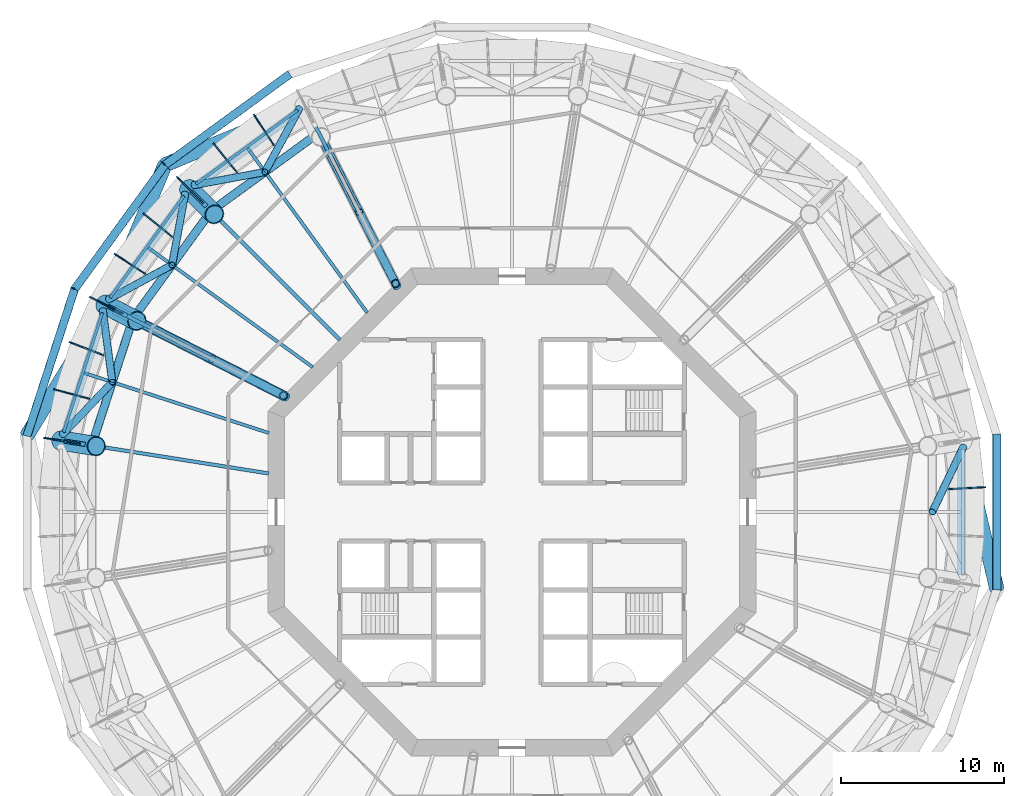
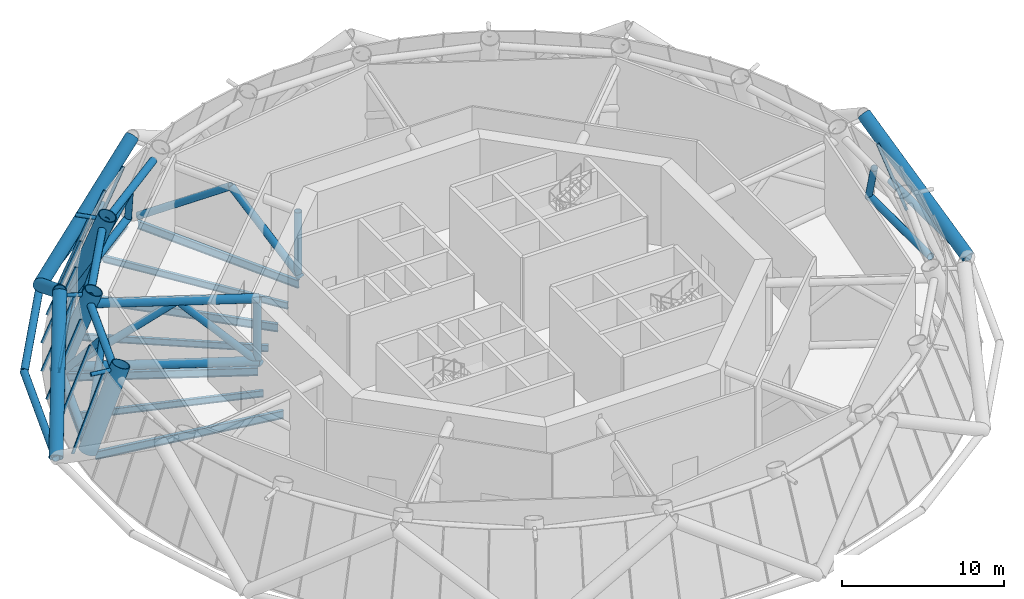
# One storey, part 4 of 15: 46 members, 10 beams, 5 elements without a shape of their own.
"""IFC4 building model written with IfcOpenShell, lengths in metres."""

from ifc_helpers import new_model, si_unit, direction, frame, origin, origin_2d, place, context, subcontext, project, spatial, rectangle, circle, hollow_circle, i_section, extrude, material, layer, layer_set, material_profile, profile_set, type_object, element, aggregate, save


model = new_model("IFC4")

# Units and contexts
model_context = context("Model", 3, precision=1e-05, world=origin(), true_north=direction((0.0, 1.0)))
body_context = subcontext(model_context, "Body", "Model", "MODEL_VIEW")
ifc_project = project(units=[si_unit("LENGTHUNIT", "METRE"), si_unit("AREAUNIT", "SQUARE_METRE"), si_unit("VOLUMEUNIT", "CUBIC_METRE"), si_unit("PLANEANGLEUNIT", "RADIAN"), si_unit("MASSUNIT", "GRAM", prefix="KILO")], contexts=[model_context])

# Site, building, storey
site_placement = place(None, origin())
site = spatial("IfcSite", under=ifc_project, at=site_placement, CompositionType="ELEMENT")
building_placement = place(site_placement, origin())
building = spatial("IfcBuilding", under=site, at=building_placement, Name="Entoto Ring Tower", CompositionType="ELEMENT")
storey_placement = place(building_placement, frame((0.0, 0.0, 200.0)))
storey = spatial("IfcBuildingStorey", under=building, at=storey_placement, Name="L46", CompositionType="ELEMENT", Elevation=200.0)

# Members
ifc_material_1 = material(Name="Steel S355", Category="steel")
ifc_material_profile_1 = material_profile(ifc_material_1, hollow_circle(Radius=0.449951171875, WallThickness=0.044921875, at=origin_2d()), Name="CHS 900 x 45")
ifc_material_2 = material(Name="Concrete C60/75", Category="concrete")
ifc_material_profile_2 = material_profile(ifc_material_2, circle(Radius=0.405029296875, at=origin_2d()), Name="Concrete C60/75 infill")
ifc_profile_set_1 = profile_set([ifc_material_profile_1, ifc_material_profile_2], Name="Steel S355")
member_type_1 = type_object("IfcMemberType", Name="Diagrid diagonal 900 x 45 concrete-filled tube", PredefinedType="BRACE", material=ifc_profile_set_1)
for number, where, z_axis, x_axis, name in (
    (1, (68.645263671875, 101.354736328125, 0.0), (0.777375260078, 0.323207345717, 0.539652403584), (-0.383907804078, 0.923371430123, 0.0), "DG2 module 14 07"),
    (2, (68.645263671875, 101.354736328125, 0.0), (-0.323207345717, -0.777375260078, 0.539652403584), (0.923371430123, -0.383907804078, 0.0), "DG2 module 14 08"),
):
    element("IfcMember", number, at=place(storey_placement, frame(where, z_axis=z_axis, x_axis=x_axis)), inside=storey, type_object=member_type_1, Name=name, PredefinedType="BRACE", context=body_context, shape_type="SweptSolid", body=[
        extrude(hollow_circle(Radius=0.449951171875, WallThickness=0.044921875, at=origin_2d()), origin(), (0.0, 0.0, 1.0), 11.1181640625),
    ])
member_1_placement = place(storey_placement, frame((60.171875, 84.724365234375, 0.0), z_axis=(0.438916670262, 0.718410935775, 0.539664603179), x_axis=(-0.853341145652, 0.521352941047, 0.0)))
element("IfcMember", 3, at=member_1_placement, inside=storey, type_object=member_type_1, Name="DG2 module 14 09", PredefinedType="BRACE", context=body_context, shape_type="SweptSolid", body=[
    extrude(hollow_circle(Radius=0.449951171875, WallThickness=0.044921875, at=origin_2d()), origin(), (0.0, 0.0, 1.0), 11.117919921875),
])
member_2_placement = place(storey_placement, frame((119.828125, 75.275634765625, 0.0), z_axis=(-0.195432990063, 0.818886187126, 0.539658557728), x_axis=(-0.972682939127, -0.232137674521, 0.0)))
element("IfcMember", 4, at=member_2_placement, inside=storey, type_object=member_type_1, Name="DG2 module 14 20", PredefinedType="BRACE", context=body_context, shape_type="SweptSolid", body=[
    extrude(hollow_circle(Radius=0.449951171875, WallThickness=0.044921875, at=origin_2d()), origin(), (0.0, 0.0, 1.0), 11.1181640625),
])
ifc_material_3 = material(Name="Steel S355", Category="steel")
ifc_material_profile_3 = material_profile(ifc_material_3, hollow_circle(Radius=0.136474609375, WallThickness=0.012451171875, at=origin_2d()), Name="CHS 273 x 12.5")
ifc_material_4 = material(Name="Concrete C60/75", Category="concrete")
ifc_material_profile_4 = material_profile(ifc_material_4, circle(Radius=0.1240234375, at=origin_2d()), Name="Concrete C60/75 infill")
ifc_profile_set_2 = profile_set([ifc_material_profile_3, ifc_material_profile_4], Name="Steel S355")
member_type_2 = type_object("IfcMemberType", Name="Diagrid node strut 273 x 12.5", PredefinedType="STRUT", material=ifc_profile_set_2)
member_3_placement = place(storey_placement, frame((71.201416015625, 98.798583984375, 5.71337890625), z_axis=(-0.707106781187, 0.707106781187, 0.0), x_axis=(-0.707106781187, -0.707106781187, 0.0)))
element("IfcMember", 5, at=member_3_placement, inside=storey, type_object=member_type_2, Name="DS2 strut ring 14 08", PredefinedType="STRUT", context=body_context, shape_type="SweptSolid", body=[
    extrude(hollow_circle(Radius=0.136474609375, WallThickness=0.012451171875, at=origin_2d()), origin(), (0.0, 0.0, 1.0), 1.314697265625),
])
member_4_placement = place(storey_placement, frame((66.3125, 92.0693359375, 5.71337890625), z_axis=(-0.891022493252, 0.453959157325, 0.0), x_axis=(-0.453959157325, -0.891022493252, 0.0)))
element("IfcMember", 6, at=member_4_placement, inside=storey, type_object=member_type_2, Name="DS2 strut ring 14 09", PredefinedType="STRUT", context=body_context, shape_type="SweptSolid", body=[
    extrude(hollow_circle(Radius=0.136474609375, WallThickness=0.012451171875, at=origin_2d()), origin(), (0.0, 0.0, 1.0), 1.31494140625),
])
member_5_placement = place(storey_placement, frame((63.7421875, 84.158935546875, 5.71337890625), z_axis=(-0.987701157576, 0.156353520338, 0.0), x_axis=(-0.156353520338, -0.987701157576, 0.0)))
element("IfcMember", 7, at=member_5_placement, inside=storey, type_object=member_type_2, Name="DS2 strut ring 14 10", PredefinedType="STRUT", context=body_context, shape_type="SweptSolid", body=[
    extrude(hollow_circle(Radius=0.136474609375, WallThickness=0.012451171875, at=origin_2d()), origin(), (0.0, 0.0, 1.0), 1.314697265625),
])
ifc_material_5 = material(Name="Steel S355", Category="steel")
ifc_material_profile_5 = material_profile(ifc_material_5, hollow_circle(Radius=0.25390625, WallThickness=0.030029296875, at=origin_2d()), Name="CHS 508 x 30")
ifc_material_6 = material(Name="Concrete C60/75", Category="concrete")
ifc_material_profile_6 = material_profile(ifc_material_6, circle(Radius=0.22412109375, at=origin_2d()), Name="Concrete C60/75 infill")
ifc_profile_set_3 = profile_set([ifc_material_profile_5, ifc_material_profile_6], Name="Steel S355")
member_type_3 = type_object("IfcMemberType", Name="Diagrid ring beam 508 x 30", PredefinedType="CHORD", material=ifc_profile_set_3)
for number, where, z_axis, x_axis, name in (
    (8, (76.338134765625, 106.94384765625, 0.0), (-0.809016230274, -0.587786303985, 0.0), (0.587786303985, -0.809016230274, 0.0), "DR2 ring 13 06"),
    (9, (68.6806640625, 101.4033203125, 0.0), (-0.587786303985, -0.809016230274, 0.0), (0.809016230274, -0.587786303985, 0.0), "DR2 ring 13 07"),
    (10, (63.110107421875, 93.767822265625, 0.0), (-0.308993189852, -0.951064250524, 0.0), (0.951064250524, -0.308993189852, 0.0), "DR2 ring 13 08"),
):
    element("IfcMember", number, at=place(storey_placement, frame(where, z_axis=z_axis, x_axis=x_axis)), inside=storey, type_object=member_type_3, Name=name, PredefinedType="CHORD", context=body_context, shape_type="SweptSolid", body=[
        extrude(hollow_circle(Radius=0.25390625, WallThickness=0.030029296875, at=origin_2d()), origin(), (0.0, 0.0, 1.0), 9.569091796875),
    ])
member_6_placement = place(storey_placement, frame((119.828125, 75.21533203125, 0.0), z_axis=(0.0, 1.0, 0.0), x_axis=(-1.0, 0.0, 0.0)))
element("IfcMember", 11, at=member_6_placement, inside=storey, type_object=member_type_3, Name="DR2 ring 13 19", PredefinedType="CHORD", context=body_context, shape_type="SweptSolid", body=[
    extrude(hollow_circle(Radius=0.25390625, WallThickness=0.030029296875, at=origin_2d()), origin(), (0.0, 0.0, 1.0), 9.5693359375),
])

# Beams
ifc_material_7 = material(Name="Steel S355", Category="steel")
ifc_material_profile_7 = material_profile(ifc_material_7, i_section(OverallWidth=0.169921875, OverallDepth=0.360107421875, WebThickness=0.008056640625, FlangeThickness=0.0126953125, FilletRadius=0.01806640625, at=origin_2d()), Name="IPE 360")
ifc_profile_set_4 = profile_set([ifc_material_profile_7], Name="Steel S355")
beam_type_1 = type_object("IfcBeamType", Name="Edge beam IPE 360", PredefinedType="SPANDREL", material=ifc_profile_set_4)
for number, where, z_axis, x_axis, name in (
    (12, (76.819580078125, 104.729736328125, -0.330078125), (-0.809012707043, -0.587791153253, 0.0), (0.587791153253, -0.809012707043, 0.0), "Edge beam L46 07"),
    (13, (69.82275390625, 99.4462890625, -0.330078125), (-0.587791153253, -0.809012707043, 0.0), (0.809012707043, -0.587791153253, 0.0), "Edge beam L46 08"),
    (14, (64.801025390625, 92.259521484375, -0.330078125), (-0.309012656105, -0.951057925874, 0.0), (0.951057925874, -0.309012656105, 0.0), "Edge beam L46 09"),
):
    element("IfcBeam", number, at=place(storey_placement, frame(where, z_axis=z_axis, x_axis=x_axis)), inside=storey, type_object=beam_type_1, Name=name, PredefinedType="SPANDREL", context=body_context, shape_type="SweptSolid", body=[
        extrude(i_section(OverallWidth=0.169921875, OverallDepth=0.360107421875, WebThickness=0.008056640625, FlangeThickness=0.0126953125, FilletRadius=0.01806640625, at=origin_2d()), origin(), (0.0, 0.0, 1.0), 7.7451171875),
    ])

# Curtain wall, members
ifc_material_8 = material(Name="Anodised aluminium", Category="aluminium")
ifc_layer = layer(ifc_material_8, 0.10009765625)
ifc_layer_set = layer_set([ifc_layer], Name="Anodised aluminium")
curtain_wall_type = type_object("IfcCurtainWallType", Name="Louvre curtain wall system CW7", PredefinedType="NOTDEFINED", material=ifc_layer_set)
curtain_wall_1_placement = place(storey_placement, origin())
curtain_wall_1 = element("IfcCurtainWall", 15, at=curtain_wall_1_placement, inside=storey, type_object=curtain_wall_type, Name="CW7 L46-07", PredefinedType="NOTDEFINED")
ifc_material_9 = material(Name="Anodised aluminium", Category="aluminium")
ifc_material_profile_8 = material_profile(ifc_material_9, rectangle(XDim=0.080078125, YDim=0.199951171875, at=origin_2d()), Name="Mullion 80 x 200 mm anodised aluminium")
ifc_profile_set_5 = profile_set([ifc_material_profile_8], Name="Anodised aluminium")
member_type_4 = type_object("IfcMemberType", Name="Mullion 80 x 200 mm anodised aluminium", PredefinedType="MULLION", material=ifc_profile_set_5)
member_7_placement = place(storey_placement, frame((74.154296875, 104.400146484375, 0.034423828125), z_axis=(0.187497389991, -0.288719812628, 0.938874644744), x_axis=(0.838669836379, 0.544640161527, 0.0)))
member_7 = element("IfcMember", 16, at=member_7_placement, type_object=member_type_4, Name="MULLION L46-19", PredefinedType="MULLION", context=body_context, shape_type="SweptSolid", body=[
    extrude(rectangle(XDim=0.080078125, YDim=0.199951171875, at=origin_2d()), origin(), (0.0, 0.0, 1.0), 6.15771484375),
])
member_8_placement = place(storey_placement, frame((71.690673828125, 102.610107421875, 0.034423828125), z_axis=(0.216641306561, -0.267510778801, 0.938884725361), x_axis=(0.777124153348, 0.629347320868, 0.0)))
member_8 = element("IfcMember", 17, at=member_8_placement, type_object=member_type_4, Name="MULLION L46-20", PredefinedType="MULLION", context=body_context, shape_type="SweptSolid", body=[
    extrude(rectangle(XDim=0.080078125, YDim=0.199951171875, at=origin_2d()), origin(), (0.0, 0.0, 1.0), 6.157470703125),
])
aggregate(curtain_wall_1, [member_7, member_8])

curtain_wall_2_placement = place(storey_placement, origin())
curtain_wall_2 = element("IfcCurtainWall", 18, at=curtain_wall_2_placement, inside=storey, type_object=curtain_wall_type, Name="CW7 L46-08", PredefinedType="NOTDEFINED")
member_9_placement = place(storey_placement, frame((69.427490234375, 100.572509765625, 0.034423828125), z_axis=(0.243439738428, -0.243439738428, 0.938868567749), x_axis=(0.707106781187, 0.707106781187, 0.0)))
member_9 = element("IfcMember", 19, at=member_9_placement, type_object=member_type_4, Name="MULLION L46-21", PredefinedType="MULLION", context=body_context, shape_type="SweptSolid", body=[
    extrude(rectangle(XDim=0.080078125, YDim=0.199951171875, at=origin_2d()), origin(), (0.0, 0.0, 1.0), 6.15771484375),
])
member_10_placement = place(storey_placement, frame((67.389892578125, 98.309326171875, 0.034423828125), z_axis=(0.267510778801, -0.216641306561, 0.938884725361), x_axis=(0.629347320868, 0.777124153348, 0.0)))
member_10 = element("IfcMember", 20, at=member_10_placement, type_object=member_type_4, Name="MULLION L46-22", PredefinedType="MULLION", context=body_context, shape_type="SweptSolid", body=[
    extrude(rectangle(XDim=0.080078125, YDim=0.199951171875, at=origin_2d()), origin(), (0.0, 0.0, 1.0), 6.157470703125),
])
member_11_placement = place(storey_placement, frame((65.599853515625, 95.845703125, 0.034423828125), z_axis=(0.288719812628, -0.187497389991, 0.938874644744), x_axis=(0.544640161527, 0.838669836379, 0.0)))
member_11 = element("IfcMember", 21, at=member_11_placement, type_object=member_type_4, Name="MULLION L46-23", PredefinedType="MULLION", context=body_context, shape_type="SweptSolid", body=[
    extrude(rectangle(XDim=0.080078125, YDim=0.199951171875, at=origin_2d()), origin(), (0.0, 0.0, 1.0), 6.15771484375),
])
aggregate(curtain_wall_2, [member_9, member_10, member_11])

curtain_wall_3_placement = place(storey_placement, origin())
curtain_wall_3 = element("IfcCurtainWall", 22, at=curtain_wall_3_placement, inside=storey, type_object=curtain_wall_type, Name="CW7 L46-09", PredefinedType="NOTDEFINED")
member_12_placement = place(storey_placement, frame((64.0771484375, 93.208251953125, 0.034423828125), z_axis=(0.30672352053, -0.156256126475, 0.938884819822), x_axis=(0.453927506851, 0.891038617863, 0.0)))
member_12 = element("IfcMember", 23, at=member_12_placement, type_object=member_type_4, Name="MULLION L46-24", PredefinedType="MULLION", context=body_context, shape_type="SweptSolid", body=[
    extrude(rectangle(XDim=0.080078125, YDim=0.199951171875, at=origin_2d()), origin(), (0.0, 0.0, 1.0), 6.157470703125),
])
member_13_placement = place(storey_placement, frame((62.838623046875, 90.42626953125, 0.034423828125), z_axis=(0.321355925032, -0.123348338405, 0.938890598983), x_axis=(0.358346063241, 0.933588827568, 0.0)))
member_13 = element("IfcMember", 24, at=member_13_placement, type_object=member_type_4, Name="MULLION L46-25", PredefinedType="MULLION", context=body_context, shape_type="SweptSolid", body=[
    extrude(rectangle(XDim=0.080078125, YDim=0.199951171875, at=origin_2d()), origin(), (0.0, 0.0, 1.0), 6.157470703125),
])
member_14_placement = place(storey_placement, frame((61.8974609375, 87.530029296875, 0.034423828125), z_axis=(0.332531368364, -0.089090018447, 0.938874782741), x_axis=(0.258787896113, 0.965934172097, 0.0)))
member_14 = element("IfcMember", 25, at=member_14_placement, type_object=member_type_4, Name="MULLION L46-26", PredefinedType="MULLION", context=body_context, shape_type="SweptSolid", body=[
    extrude(rectangle(XDim=0.080078125, YDim=0.199951171875, at=origin_2d()), origin(), (0.0, 0.0, 1.0), 6.15771484375),
])
aggregate(curtain_wall_3, [member_12, member_13, member_14])

# Curtain wall, member
curtain_wall_4_placement = place(storey_placement, origin())
curtain_wall_4 = element("IfcCurtainWall", 26, at=curtain_wall_4_placement, inside=storey, type_object=curtain_wall_type, Name="CW7 L46-10", PredefinedType="NOTDEFINED")
member_15_placement = place(storey_placement, frame((61.264404296875, 84.55126953125, 0.034423828125), z_axis=(0.339989545679, -0.053843242336, 0.938886582119), x_axis=(0.156417995192, 0.987690949022, 0.0)))
member_15 = element("IfcMember", 27, at=member_15_placement, type_object=member_type_4, Name="MULLION L46-27", PredefinedType="MULLION", context=body_context, shape_type="SweptSolid", body=[
    extrude(rectangle(XDim=0.080078125, YDim=0.199951171875, at=origin_2d()), origin(), (0.0, 0.0, 1.0), 6.157470703125),
])
aggregate(curtain_wall_4, [member_15])

curtain_wall_5_placement = place(storey_placement, origin())
curtain_wall_5 = element("IfcCurtainWall", 28, at=curtain_wall_5_placement, inside=storey, type_object=curtain_wall_type, Name="CW7 L46-20", PredefinedType="NOTDEFINED")
member_16_placement = place(storey_placement, frame((119.053955078125, 81.522705078125, 0.034423828125), z_axis=(-0.343755886761, -0.018040245499, 0.938885743773), x_axis=(0.052407696247, -0.998625772436, 0.0)))
member_16 = element("IfcMember", 29, at=member_16_placement, type_object=member_type_4, Name="MULLION L46-59", PredefinedType="MULLION", context=body_context, shape_type="SweptSolid", body=[
    extrude(rectangle(XDim=0.080078125, YDim=0.199951171875, at=origin_2d()), origin(), (0.0, 0.0, 1.0), 6.157470703125),
])
aggregate(curtain_wall_5, [member_16])

# Members
ifc_material_10 = material(Name="Steel S355", Category="steel")
ifc_material_profile_9 = material_profile(ifc_material_10, hollow_circle(Radius=0.304931640625, WallThickness=0.030029296875, at=origin_2d()), Name="CHS 610 x 30")
ifc_material_11 = material(Name="Concrete C60/75", Category="concrete")
ifc_material_profile_10 = material_profile(ifc_material_11, circle(Radius=0.27490234375, at=origin_2d()), Name="Concrete C60/75 infill")
ifc_profile_set_6 = profile_set([ifc_material_profile_9, ifc_material_profile_10], Name="Steel S355")
member_type_5 = type_object("IfcMemberType", Name="Outrigger chord 610 x 30", PredefinedType="CHORD", material=ifc_profile_set_6)
member_17_placement = place(storey_placement, frame((76.05322265625, 87.106201171875, 0.304931640625), z_axis=(-0.891005561634, 0.453992388854, 0.0), x_axis=(-0.453992388854, -0.891005561634, 0.0)))
element("IfcMember", 30, at=member_17_placement, inside=storey, type_object=member_type_5, Name="OR1B L46 bottom 05", PredefinedType="CHORD", context=body_context, shape_type="SweptSolid", body=[
    extrude(hollow_circle(Radius=0.304931640625, WallThickness=0.030029296875, at=origin_2d()), origin(), (0.0, 0.0, 1.0), 11.804931640625),
])
member_18_placement = place(storey_placement, frame((76.05322265625, 87.106201171875, 5.044921875), z_axis=(-0.891006180979, 0.453991173324, 0.0), x_axis=(-0.453991173324, -0.891006180979, 0.0)))
element("IfcMember", 31, at=member_18_placement, inside=storey, type_object=member_type_5, Name="OR1B L46 top 05", PredefinedType="CHORD", context=body_context, shape_type="SweptSolid", body=[
    extrude(hollow_circle(Radius=0.304931640625, WallThickness=0.030029296875, at=origin_2d()), origin(), (0.0, 0.0, 1.0), 10.06689453125),
])
ifc_material_12 = material(Name="Steel S355", Category="steel")
ifc_material_profile_11 = material_profile(ifc_material_12, hollow_circle(Radius=0.25390625, WallThickness=0.030029296875, at=origin_2d()), Name="CHS 508 x 30")
ifc_material_13 = material(Name="Concrete C60/75", Category="concrete")
ifc_material_profile_12 = material_profile(ifc_material_13, circle(Radius=0.22412109375, at=origin_2d()), Name="Concrete C60/75 infill")
ifc_profile_set_7 = profile_set([ifc_material_profile_11, ifc_material_profile_12], Name="Steel S355")
member_type_6 = type_object("IfcMemberType", Name="Outrigger diagonal 508 x 30", PredefinedType="BRACE", material=ifc_profile_set_7)
member_19_placement = place(storey_placement, frame((82.93408203125, 93.86767578125, 0.10546875), z_axis=(-0.327555738645, 0.642859366285, 0.692415390687), x_axis=(-0.891005105135, -0.453993284777, 0.0)))
element("IfcMember", 32, at=member_19_placement, inside=storey, type_object=member_type_6, Name="OR2B L46 04 1", PredefinedType="BRACE", context=body_context, shape_type="SweptSolid", body=[
    extrude(hollow_circle(Radius=0.25390625, WallThickness=0.030029296875, at=origin_2d()), origin(), (0.0, 0.0, 1.0), 7.133544921875),
])
member_20_placement = place(storey_placement, frame((80.597412109375, 98.45361328125, 5.044921875), z_axis=(-0.370211902678, 0.726549640122, -0.57885124821), x_axis=(-0.890998403094, -0.454006437932, 0.0)))
element("IfcMember", 33, at=member_20_placement, inside=storey, type_object=member_type_6, Name="OR2B L46 04 2", PredefinedType="BRACE", context=body_context, shape_type="SweptSolid", body=[
    extrude(hollow_circle(Radius=0.25390625, WallThickness=0.030029296875, at=origin_2d()), origin(), (0.0, 0.0, 1.0), 8.3408203125),
])
member_21_placement = place(storey_placement, frame((76.13232421875, 87.06591796875, 0.10546875), z_axis=(-0.642859366285, 0.327555738645, 0.692415390687), x_axis=(-0.453993284777, -0.891005105135, 0.0)))
element("IfcMember", 34, at=member_21_placement, inside=storey, type_object=member_type_6, Name="OR2B L46 05 1", PredefinedType="BRACE", context=body_context, shape_type="SweptSolid", body=[
    extrude(hollow_circle(Radius=0.25390625, WallThickness=0.030029296875, at=origin_2d()), origin(), (0.0, 0.0, 1.0), 7.133544921875),
])
member_22_placement = place(storey_placement, frame((71.54638671875, 89.402587890625, 5.044921875), z_axis=(-0.726549640122, 0.370211902678, -0.57885124821), x_axis=(-0.454006437932, -0.890998403094, 0.0)))
element("IfcMember", 35, at=member_22_placement, inside=storey, type_object=member_type_6, Name="OR2B L46 05 2", PredefinedType="BRACE", context=body_context, shape_type="SweptSolid", body=[
    extrude(hollow_circle(Radius=0.25390625, WallThickness=0.030029296875, at=origin_2d()), origin(), (0.0, 0.0, 1.0), 8.3408203125),
])
ifc_material_14 = material(Name="Steel S355", Category="steel")
ifc_material_profile_13 = material_profile(ifc_material_14, hollow_circle(Radius=0.25390625, WallThickness=0.030029296875, at=origin_2d()), Name="CHS 508 x 30")
ifc_material_15 = material(Name="Concrete C60/75", Category="concrete")
ifc_material_profile_14 = material_profile(ifc_material_15, circle(Radius=0.22412109375, at=origin_2d()), Name="Concrete C60/75 infill")
ifc_profile_set_8 = profile_set([ifc_material_profile_13, ifc_material_profile_14], Name="Steel S355")
member_type_7 = type_object("IfcMemberType", Name="Outrigger post 508 x 30", PredefinedType="POST", material=ifc_profile_set_8)
for number, where, z_axis, x_axis, name in (
    (36, (82.839599609375, 94.052978515625, 0.304931640625), (0.0, 0.0, 1.0), (1.0, 0.0, 0.0), "OR3 L46 04"),
    (37, (75.947021484375, 87.160400390625, 0.304931640625), (0.0, 0.0, 1.0), (1.0, 0.0, 0.0), "OR3 L46 05"),
):
    element("IfcMember", number, at=place(storey_placement, frame(where, z_axis=z_axis, x_axis=x_axis)), inside=storey, type_object=member_type_7, Name=name, PredefinedType="POST", context=body_context, shape_type="SweptSolid", body=[
        extrude(hollow_circle(Radius=0.25390625, WallThickness=0.030029296875, at=origin_2d()), origin(), (0.0, 0.0, 1.0), 4.739990234375),
    ])

# Beams
ifc_material_16 = material(Name="Steel S355", Category="steel")
ifc_material_profile_15 = material_profile(ifc_material_16, i_section(OverallWidth=0.219970703125, OverallDepth=0.60009765625, WebThickness=0.011962890625, FlangeThickness=0.01904296875, FilletRadius=0.02392578125, at=origin_2d()), Name="IPE 600")
ifc_profile_set_9 = profile_set([ifc_material_profile_15], Name="Steel S355")
beam_type_2 = type_object("IfcBeamType", Name="Primary floor beam IPE 600", PredefinedType="BEAM", material=ifc_profile_set_9)
beam_1_placement = place(storey_placement, frame((82.864990234375, 94.003173828125, -0.449951171875), z_axis=(-0.453982805399, 0.891010444609, 0.0), x_axis=(-0.891010444609, -0.453982805399, 0.0)))
element("IfcBeam", 38, at=beam_1_placement, inside=storey, type_object=beam_type_2, Name="Primary L46 R07", PredefinedType="BEAM", context=body_context, shape_type="SweptSolid", body=[
    extrude(i_section(OverallWidth=0.219970703125, OverallDepth=0.60009765625, WebThickness=0.011962890625, FlangeThickness=0.01904296875, FilletRadius=0.02392578125, at=origin_2d()), origin(), (0.0, 0.0, 1.0), 11.864990234375),
])
beam_2_placement = place(storey_placement, frame((79.407470703125, 90.592529296875, -0.449951171875), z_axis=(-0.707106781187, 0.707106781187, 0.0), x_axis=(-0.707106781187, -0.707106781187, 0.0)))
element("IfcBeam", 39, at=beam_2_placement, inside=storey, type_object=beam_type_2, Name="Primary L46 R08", PredefinedType="BEAM", context=body_context, shape_type="SweptSolid", body=[
    extrude(i_section(OverallWidth=0.219970703125, OverallDepth=0.60009765625, WebThickness=0.011962890625, FlangeThickness=0.01904296875, FilletRadius=0.02392578125, at=origin_2d()), origin(), (0.0, 0.0, 1.0), 12.601318359375),
])
beam_3_placement = place(storey_placement, frame((75.996826171875, 87.135009765625, -0.449951171875), z_axis=(-0.891010444609, 0.453982805399, 0.0), x_axis=(-0.453982805399, -0.891010444609, 0.0)))
element("IfcBeam", 40, at=beam_3_placement, inside=storey, type_object=beam_type_2, Name="Primary L46 R09", PredefinedType="BEAM", context=body_context, shape_type="SweptSolid", body=[
    extrude(i_section(OverallWidth=0.219970703125, OverallDepth=0.60009765625, WebThickness=0.011962890625, FlangeThickness=0.01904296875, FilletRadius=0.02392578125, at=origin_2d()), origin(), (0.0, 0.0, 1.0), 11.864990234375),
])
beam_4_placement = place(storey_placement, frame((75.036865234375, 82.369873046875, -0.449951171875), z_axis=(-0.987687213789, 0.156441579247, 0.0), x_axis=(-0.156441579247, -0.987687213789, 0.0)))
element("IfcBeam", 41, at=beam_4_placement, inside=storey, type_object=beam_type_2, Name="Primary L46 R10", PredefinedType="BEAM", context=body_context, shape_type="SweptSolid", body=[
    extrude(i_section(OverallWidth=0.219970703125, OverallDepth=0.60009765625, WebThickness=0.011962890625, FlangeThickness=0.01904296875, FilletRadius=0.02392578125, at=origin_2d()), origin(), (0.0, 0.0, 1.0), 12.431640625),
])

# Members
ifc_material_17 = material(Name="Steel S355", Category="steel")
ifc_material_profile_16 = material_profile(ifc_material_17, hollow_circle(Radius=0.60009765625, WallThickness=0.054931640625, at=origin_2d()), Name="CHS 1200 x 55")
ifc_material_18 = material(Name="Concrete C60/75", Category="concrete")
ifc_material_profile_17 = material_profile(ifc_material_18, circle(Radius=0.544921875, at=origin_2d()), Name="Concrete C60/75 infill")
ifc_profile_set_10 = profile_set([ifc_material_profile_16, ifc_material_profile_17], Name="Steel S355")
member_type_8 = type_object("IfcMemberType", Name="Ring column jog 1200 x 55 concrete-filled tube", PredefinedType="STRUT", material=ifc_profile_set_10)
for number, where, z_axis, x_axis, name in (
    (42, (70.13037109375, 99.86962890625, 0.0), (0.243428816819, -0.243428816819, 0.938874231346), (0.707106781187, 0.707106781187, 0.0), "RJ3B R08"),
    (43, (64.962646484375, 92.757080078125, 0.0), (0.306731822092, -0.156288439927, 0.938876729322), (0.453992276384, 0.891005618941, 0.0), "RJ3B R09"),
    (44, (62.245849609375, 84.395751953125, 0.0), (0.340041863298, -0.053827545825, 0.938868535267), (0.156350040137, 0.987701708488, 0.0), "RJ3B R10"),
):
    element("IfcMember", number, at=place(storey_placement, frame(where, z_axis=z_axis, x_axis=x_axis)), inside=storey, type_object=member_type_8, Name=name, PredefinedType="STRUT", context=body_context, shape_type="SweptSolid", body=[
        extrude(hollow_circle(Radius=0.60009765625, WallThickness=0.054931640625, at=origin_2d()), origin(), (0.0, 0.0, 1.0), 6.390625),
    ])
ifc_material_19 = material(Name="Steel S355", Category="steel")
ifc_material_profile_18 = material_profile(ifc_material_19, hollow_circle(Radius=0.25390625, WallThickness=0.030029296875, at=origin_2d()), Name="CHS 508 x 30")
ifc_material_20 = material(Name="Concrete C60/75", Category="concrete")
ifc_material_profile_19 = material_profile(ifc_material_20, circle(Radius=0.22412109375, at=origin_2d()), Name="Concrete C60/75 infill")
ifc_profile_set_11 = profile_set([ifc_material_profile_18, ifc_material_profile_19], Name="Steel S355")
member_type_9 = type_object("IfcMemberType", Name="Ring truss chord 508 x 30", PredefinedType="CHORD", material=ifc_profile_set_11)
member_23_placement = place(storey_placement, frame((76.859130859375, 104.644775390625, 0.25390625), z_axis=(-0.809016722756, -0.587785626143, 0.0), x_axis=(0.587785626143, -0.809016722756, 0.0)))
element("IfcMember", 45, at=member_23_placement, inside=storey, type_object=member_type_9, Name="BT1 L46 bottom 07", PredefinedType="CHORD", context=body_context, shape_type="SweptSolid", body=[
    extrude(hollow_circle(Radius=0.25390625, WallThickness=0.030029296875, at=origin_2d()), origin(), (0.0, 0.0, 1.0), 7.70947265625),
])
member_24_placement = place(storey_placement, frame((77.6884765625, 103.01708984375, 5.236083984375), z_axis=(-0.809015537295, -0.587787257786, 0.0), x_axis=(0.587787257786, -0.809015537295, 0.0)))
element("IfcMember", 46, at=member_24_placement, inside=storey, type_object=member_type_9, Name="BT1 L46 top 07", PredefinedType="CHORD", context=body_context, shape_type="SweptSolid", body=[
    extrude(hollow_circle(Radius=0.25390625, WallThickness=0.030029296875, at=origin_2d()), origin(), (0.0, 0.0, 1.0), 7.137939453125),
])
member_25_placement = place(storey_placement, frame((69.88671875, 99.3779296875, 0.25390625), z_axis=(-0.587785626143, -0.809016722756, 0.0), x_axis=(0.809016722756, -0.587785626143, 0.0)))
element("IfcMember", 47, at=member_25_placement, inside=storey, type_object=member_type_9, Name="BT1 L46 bottom 08", PredefinedType="CHORD", context=body_context, shape_type="SweptSolid", body=[
    extrude(hollow_circle(Radius=0.25390625, WallThickness=0.030029296875, at=origin_2d()), origin(), (0.0, 0.0, 1.0), 7.70947265625),
])
member_26_placement = place(storey_placement, frame((71.178466796875, 98.086181640625, 5.236083984375), z_axis=(-0.587787257786, -0.809015537295, 0.0), x_axis=(0.809015537295, -0.587787257786, 0.0)))
element("IfcMember", 48, at=member_26_placement, inside=storey, type_object=member_type_9, Name="BT1 L46 top 08", PredefinedType="CHORD", context=body_context, shape_type="SweptSolid", body=[
    extrude(hollow_circle(Radius=0.25390625, WallThickness=0.030029296875, at=origin_2d()), origin(), (0.0, 0.0, 1.0), 7.137939453125),
])
member_27_placement = place(storey_placement, frame((64.883056640625, 92.214111328125, 0.25390625), z_axis=(-0.309017329016, -0.951056407564, 0.0), x_axis=(0.951056407564, -0.309017329016, 0.0)))
element("IfcMember", 49, at=member_27_placement, inside=storey, type_object=member_type_9, Name="BT1 L46 bottom 09", PredefinedType="CHORD", context=body_context, shape_type="SweptSolid", body=[
    extrude(hollow_circle(Radius=0.25390625, WallThickness=0.030029296875, at=origin_2d()), origin(), (0.0, 0.0, 1.0), 7.70947265625),
])
member_28_placement = place(storey_placement, frame((66.510498046875, 91.384765625, 5.236083984375), z_axis=(-0.308994809906, -0.95106372418, 0.0), x_axis=(0.95106372418, -0.308994809906, 0.0)))
element("IfcMember", 50, at=member_28_placement, inside=storey, type_object=member_type_9, Name="BT1 L46 top 09", PredefinedType="CHORD", context=body_context, shape_type="SweptSolid", body=[
    extrude(hollow_circle(Radius=0.25390625, WallThickness=0.030029296875, at=origin_2d()), origin(), (0.0, 0.0, 1.0), 7.137939453125),
])
member_29_placement = place(storey_placement, frame((117.662109375, 76.145263671875, 0.25390625), z_axis=(0.0, 1.0, 0.0), x_axis=(-1.0, 0.0, 0.0)))
element("IfcMember", 51, at=member_29_placement, inside=storey, type_object=member_type_9, Name="BT1 L46 bottom 20", PredefinedType="CHORD", context=body_context, shape_type="SweptSolid", body=[
    extrude(hollow_circle(Radius=0.25390625, WallThickness=0.030029296875, at=origin_2d()), origin(), (0.0, 0.0, 1.0), 7.70947265625),
])
ifc_material_21 = material(Name="Steel S355", Category="steel")
ifc_material_profile_20 = material_profile(ifc_material_21, hollow_circle(Radius=0.228515625, WallThickness=0.02001953125, at=origin_2d()), Name="CHS 457 x 20")
ifc_material_22 = material(Name="Concrete C60/75", Category="concrete")
ifc_material_profile_21 = material_profile(ifc_material_22, circle(Radius=0.20849609375, at=origin_2d()), Name="Concrete C60/75 infill")
ifc_profile_set_12 = profile_set([ifc_material_profile_20, ifc_material_profile_21], Name="Steel S355")
member_type_10 = type_object("IfcMemberType", Name="Ring truss diagonal 457 x 20", PredefinedType="BRACE", material=ifc_profile_set_12)
for number, where, z_axis, x_axis, name in (
    (52, (76.91845703125, 104.8203125, -0.041748046875), (-0.307016638759, -0.565672492401, 0.765346597867), (0.878894284489, -0.477016600018, 0.0), "BT2 L46 07 a"),
    (53, (74.80126953125, 100.91943359375, 5.236083984375), (-0.632864847242, -0.117184081694, -0.765343044734), (0.182069563069, -0.983285652394, 0.0), "BT2 L46 07 b"),
    (54, (69.888671875, 99.56298828125, -0.041748046875), (-0.117184081694, -0.632864847242, 0.765343044734), (0.983285652394, -0.182069563069, 0.0), "BT2 L46 08 a"),
    (55, (69.08056640625, 95.19873046875, 5.236083984375), (-0.565672492401, -0.307016638759, -0.765346597867), (0.477016600018, -0.878894284489, 0.0), "BT2 L46 08 b"),
    (56, (64.827880859375, 92.390869140625, -0.041748046875), (0.084082353722, -0.638105407781, 0.765344135898), (0.991429939305, 0.130639486565, 0.0), "BT2 L46 09 a"),
    (57, (65.40771484375, 87.990478515625, 5.236083984375), (-0.4431081302, -0.466792960745, -0.765349277618), (0.725267185496, -0.688467508052, 0.0), "BT2 L46 09 b"),
    (58, (115.85791015625, 80.0, 5.236083984375), (0.277169016435, 0.580890180313, -0.76533909788), (-0.902525740577, 0.430635910713, 0.0), "BT2 L46 20 b"),
):
    element("IfcMember", number, at=place(storey_placement, frame(where, z_axis=z_axis, x_axis=x_axis)), inside=storey, type_object=member_type_10, Name=name, PredefinedType="BRACE", context=body_context, shape_type="SweptSolid", body=[
        extrude(hollow_circle(Radius=0.228515625, WallThickness=0.02001953125, at=origin_2d()), origin(), (0.0, 0.0, 1.0), 6.89599609375),
    ])

# Beams
ifc_material_23 = material(Name="Steel S355", Category="steel")
ifc_material_profile_22 = material_profile(ifc_material_23, i_section(OverallWidth=0.199951171875, OverallDepth=0.5, WebThickness=0.01025390625, FlangeThickness=0.01611328125, FilletRadius=0.02099609375, at=origin_2d()), Name="IPE 500")
ifc_profile_set_13 = profile_set([ifc_material_profile_22], Name="Steel S355")
beam_type_3 = type_object("IfcBeamType", Name="Secondary floor beam IPE 500", PredefinedType="JOIST", material=ifc_profile_set_13)
for number, where, z_axis, x_axis, name in (
    (59, (81.094482421875, 92.257568359375, -0.39990234375), (-0.587788946436, 0.80901431041, 0.0), (-0.80901431041, -0.587788946436, 0.0), "Secondary beam L46 07"),
    (60, (77.742431640625, 88.905517578125, -0.39990234375), (-0.80901431041, 0.587788946436, 0.0), (-0.587788946436, -0.80901431041, 0.0), "Secondary beam L46 08"),
):
    element("IfcBeam", number, at=place(storey_placement, frame(where, z_axis=z_axis, x_axis=x_axis)), inside=storey, type_object=beam_type_3, Name=name, PredefinedType="JOIST", context=body_context, shape_type="SweptSolid", body=[
        extrude(i_section(OverallWidth=0.199951171875, OverallDepth=0.5, WebThickness=0.01025390625, FlangeThickness=0.01611328125, FilletRadius=0.02099609375, at=origin_2d()), origin(), (0.0, 0.0, 1.0), 12.51806640625),
    ])
beam_5_placement = place(storey_placement, frame((75.0498046875, 84.857666015625, -0.39990234375), z_axis=(-0.951056587506, 0.30901677521, 0.0), x_axis=(-0.30901677521, -0.951056587506, 0.0)))
element("IfcBeam", 61, at=beam_5_placement, inside=storey, type_object=beam_type_3, Name="Secondary beam L46 09", PredefinedType="JOIST", context=body_context, shape_type="SweptSolid", body=[
    extrude(i_section(OverallWidth=0.199951171875, OverallDepth=0.5, WebThickness=0.01025390625, FlangeThickness=0.01611328125, FilletRadius=0.02099609375, at=origin_2d()), origin(), (0.0, 0.0, 1.0), 11.94970703125),
])

save(model, "model.ifc")
